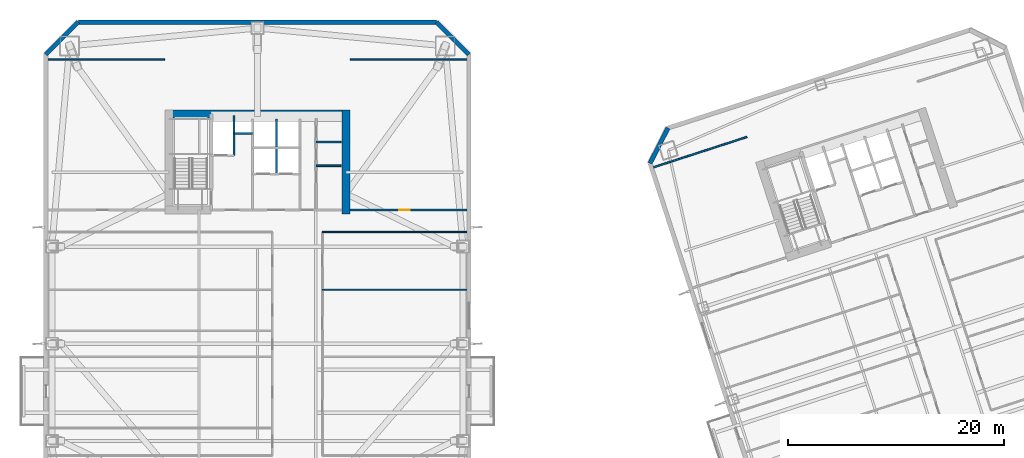
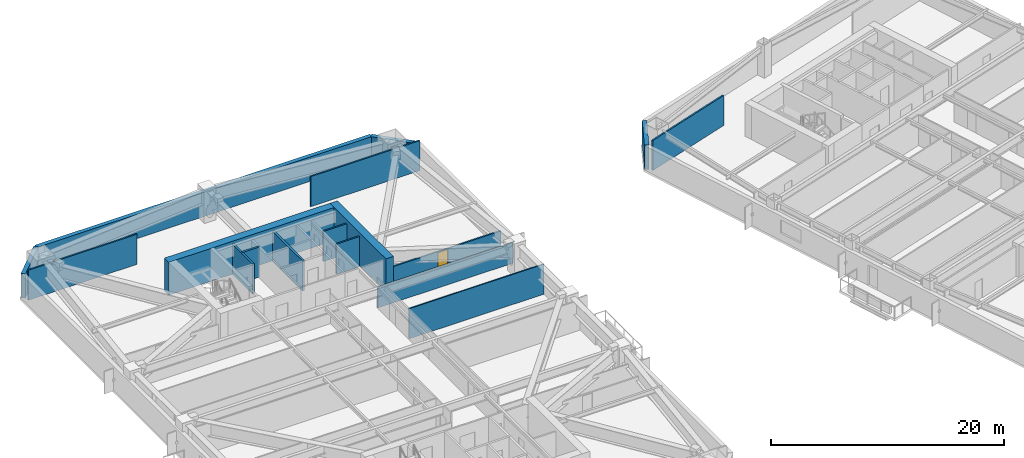
# One storey, part 8 of 19: 17 walls, 1 door, 1 opening.
"""IFC4 building model written with IfcOpenShell, lengths in metres."""

from ifc_helpers import new_model, si_unit, direction, frame, frame_2d, origin, place, context, subcontext, project, spatial, rectangle, extrude, material, layer, layer_set, type_object, element, fill, save


model = new_model("IFC4")

# Units and contexts
model_context = context("Model", 3, precision=1e-05, world=origin(), true_north=direction((0.0, 1.0)))
body_context = subcontext(model_context, "Body", "Model", "MODEL_VIEW")
ifc_project = project(units=[si_unit("LENGTHUNIT", "METRE"), si_unit("AREAUNIT", "SQUARE_METRE"), si_unit("VOLUMEUNIT", "CUBIC_METRE"), si_unit("PLANEANGLEUNIT", "RADIAN"), si_unit("MASSUNIT", "GRAM", prefix="KILO")], contexts=[model_context])

# Site, building, storey
site_placement = place(None, origin())
site = spatial("IfcSite", under=ifc_project, at=site_placement, CompositionType="ELEMENT")
building_placement = place(site_placement, origin())
building = spatial("IfcBuilding", under=site, at=building_placement, Name="Qiaolan Cultural Towers", CompositionType="ELEMENT")
storey_placement = place(building_placement, frame((0.0, 0.0, 88.550048828125)))
storey = spatial("IfcBuildingStorey", under=building, at=storey_placement, Name="L22", CompositionType="ELEMENT", Elevation=88.550048828125)

# Walls
ifc_material_1 = material(Name="Concrete C60", Category="concrete")
ifc_layer_1 = layer(ifc_material_1, 0.75)
ifc_layer_set_1 = layer_set([ifc_layer_1], Name="Concrete C60")
wall_type_1 = type_object("IfcWallType", Name="WL-CORE-750", PredefinedType="SHEAR", material=ifc_layer_set_1)
wall_1_placement = place(storey_placement, frame((21.425048828125, 55.280029296875, 0.0), z_axis=(0.0, 0.0, 1.0), x_axis=(1.0, 0.0, 0.0)))
element("IfcWall", 1, at=wall_1_placement, inside=storey, type_object=wall_type_1, Name="L22 T1-CN Outer Core Shear Wall", PredefinedType="SHEAR", context=body_context, shape_type="SweptSolid", body=[
    extrude(rectangle(XDim=17.14990234375, YDim=0.75, at=frame_2d((8.574951171875, 0.0))), origin(), (0.0, 0.0, 1.0), 3.449951171875),
])
wall_2_placement = place(storey_placement, frame((38.199951171875, 46.02490234375, 0.0), z_axis=(0.0, 0.0, 1.0), x_axis=(0.0, 1.0, 0.0)))
element("IfcWall", 2, at=wall_2_placement, inside=storey, type_object=wall_type_1, Name="L22 T1-CN East Core Shear Wall", PredefinedType="SHEAR", context=body_context, shape_type="SweptSolid", body=[
    extrude(rectangle(XDim=9.630126953125, YDim=0.75, at=frame_2d((4.81494140625, 0.0))), origin(), (0.0, 0.0, 1.0), 3.449951171875),
])
ifc_material_2 = material(Name="Precast Concrete C50 Honed Stone Pier", Category="masonry")
ifc_layer_2 = layer(ifc_material_2, 0.39990234375)
ifc_layer_set_2 = layer_set([ifc_layer_2], Name="Precast Concrete C50 Honed Stone Pier")
wall_type_2 = type_object("IfcWallType", Name="WL-EXT-PIER-400", PredefinedType="SOLIDWALL", material=ifc_layer_set_2)
wall_3_placement = place(storey_placement, frame((10.39990234375, 60.800048828125, 0.0), z_axis=(0.0, 0.0, 1.0), x_axis=(0.707106781187, 0.707106781187, 0.0)))
element("IfcWall", 3, at=wall_3_placement, inside=storey, type_object=wall_type_2, Name="L22 West Tower Precast Pier Facade Wall F2", PredefinedType="SOLIDWALL", context=body_context, shape_type="SweptSolid", body=[
    extrude(rectangle(XDim=4.24267578125, YDim=0.39990234375, at=frame_2d((2.121337890625, 0.0))), origin(), (0.0, 0.0, 1.0), 2.550048828125),
])
wall_4_placement = place(storey_placement, frame((13.39990234375, 63.800048828125, 0.0), z_axis=(0.0, 0.0, 1.0), x_axis=(1.0, 0.0, 0.0)))
element("IfcWall", 4, at=wall_4_placement, inside=storey, type_object=wall_type_2, Name="L22 West Tower Precast Pier Facade Wall F3", PredefinedType="SOLIDWALL", context=body_context, shape_type="SweptSolid", body=[
    extrude(rectangle(XDim=33.2001953125, YDim=0.39990234375, at=frame_2d((16.60009765625, 0.0))), origin(), (0.0, 0.0, 1.0), 2.550048828125),
])
wall_5_placement = place(storey_placement, frame((46.60009765625, 63.800048828125, 0.0), z_axis=(0.0, 0.0, 1.0), x_axis=(0.707106781187, -0.707106781187, 0.0)))
element("IfcWall", 5, at=wall_5_placement, inside=storey, type_object=wall_type_2, Name="L22 West Tower Precast Pier Facade Wall F4", PredefinedType="SOLIDWALL", context=body_context, shape_type="SweptSolid", body=[
    extrude(rectangle(XDim=4.24267578125, YDim=0.39990234375, at=frame_2d((2.121337890625, 0.0))), origin(), (0.0, 0.0, 1.0), 2.550048828125),
])
wall_6_placement = place(storey_placement, frame((66.37744140625, 50.718505859375, 0.0), z_axis=(0.0, 0.0, 1.0), x_axis=(0.454026238093, 0.890988313685, 0.0)))
element("IfcWall", 6, at=wall_6_placement, inside=storey, type_object=wall_type_2, Name="L22 East Tower Precast Pier Facade Wall F2", PredefinedType="SOLIDWALL", context=body_context, shape_type="SweptSolid", body=[
    extrude(rectangle(XDim=3.677001953125, YDim=0.39990234375, at=frame_2d((1.83837890625, 0.0))), origin(), (0.0, 0.0, 1.0), 2.550048828125),
])
ifc_material_3 = material(Name="Concrete C35 Fire Wall", Category="concrete")
ifc_layer_3 = layer(ifc_material_3, 0.199951171875)
ifc_layer_set_3 = layer_set([ifc_layer_3], Name="Concrete C35 Fire Wall")
wall_type_3 = type_object("IfcWallType", Name="WL-FIRE-200", PredefinedType="PARTITIONING", material=ifc_layer_set_3)
wall_7_placement = place(storey_placement, frame((27.820068359375, 51.449951171875, 0.0), z_axis=(0.0, 0.0, 1.0), x_axis=(0.0, 1.0, 0.0)))
element("IfcWall", 7, at=wall_7_placement, inside=storey, type_object=wall_type_3, Name="L22 T1-CN Firefighting Hoistway East Wall", PredefinedType="PARTITIONING", context=body_context, shape_type="SweptSolid", body=[
    extrude(rectangle(XDim=3.699951171875, YDim=0.199951171875, at=frame_2d((1.85009765625, 0.0))), origin(), (0.0, 0.0, 1.0), 3.155029296875),
])
wall_8_placement = place(storey_placement, frame((27.820068359375, 53.47998046875, 0.0), z_axis=(0.0, 0.0, 1.0), x_axis=(1.0, 0.0, 0.0)))
element("IfcWall", 8, at=wall_8_placement, inside=storey, type_object=wall_type_3, Name="L22 T1-CN Pressurization Shaft Front Wall", PredefinedType="PARTITIONING", context=body_context, shape_type="SweptSolid", body=[
    extrude(rectangle(XDim=1.72998046875, YDim=0.199951171875, at=frame_2d((0.864990234375, 0.0))), origin(), (0.0, 0.0, 1.0), 3.155029296875),
])
wall_9_placement = place(storey_placement, frame((31.780029296875, 49.719970703125, 0.0), z_axis=(0.0, 0.0, 1.0), x_axis=(0.0, 1.0, 0.0)))
element("IfcWall", 9, at=wall_9_placement, inside=storey, type_object=wall_type_3, Name="L22 T1-CN Lift Shaft Divider Wall", PredefinedType="PARTITIONING", context=body_context, shape_type="SweptSolid", body=[
    extrude(rectangle(XDim=5.110107421875, YDim=0.199951171875, at=frame_2d((2.55517578125, 0.0))), origin(), (0.0, 0.0, 1.0), 3.155029296875),
])
ifc_material_4 = material(Name="Gypsum Stud Acoustic Partition", Category="gypsum")
ifc_layer_4 = layer(ifc_material_4, 0.1201171875)
ifc_layer_set_4 = layer_set([ifc_layer_4], Name="Gypsum Stud Acoustic Partition")
wall_type_4 = type_object("IfcWallType", Name="WL-PART-120", PredefinedType="PARTITIONING", material=ifc_layer_set_4)
wall_10_placement = place(storey_placement, frame((36.02490234375, 44.35009765625, 0.0), z_axis=(0.0, 0.0, 1.0), x_axis=(1.0, 0.0, 0.0)))
element("IfcWall", 10, at=wall_10_placement, inside=storey, type_object=wall_type_4, Name="L22 T1 North Corridor Right Wall", PredefinedType="PARTITIONING", context=body_context, shape_type="SweptSolid", body=[
    extrude(rectangle(XDim=13.375, YDim=0.1201171875, at=frame_2d((6.6875, 0.0))), origin(), (0.0, 0.0, 1.0), 2.14990234375),
])
wall_11_placement = place(storey_placement, frame((36.02490234375, 39.0, 0.0), z_axis=(0.0, 0.0, 1.0), x_axis=(1.0, 0.0, 0.0)))
element("IfcWall", 11, at=wall_11_placement, inside=storey, type_object=wall_type_4, Name="L22 T1 East Partition 2", PredefinedType="PARTITIONING", context=body_context, shape_type="SweptSolid", body=[
    extrude(rectangle(XDim=13.375, YDim=0.1201171875, at=frame_2d((6.6875, 0.0))), origin(), (0.0, 0.0, 1.0), 3.155029296875),
])
ifc_material_5 = material(Name="Autoclaved Aerated Concrete Block B06", Category="concrete")
ifc_layer_5 = layer(ifc_material_5, 0.14990234375)
ifc_layer_set_5 = layer_set([ifc_layer_5], Name="Autoclaved Aerated Concrete Block B06")
wall_type_5 = type_object("IfcWallType", Name="WL-PART-150", PredefinedType="PARTITIONING", material=ifc_layer_set_5)
for number, where, z_axis, x_axis, name in (
    (12, (35.449951171875, 50.5, 0.0), (0.0, 0.0, 1.0), (1.0, 0.0, 0.0), "L22 T1-CN Restroom Split Wall 1"),
    (13, (35.449951171875, 52.699951171875, 0.0), (0.0, 0.0, 1.0), (1.0, 0.0, 0.0), "L22 T1-CN Restroom Split Wall 2"),
):
    element("IfcWall", number, at=place(storey_placement, frame(where, z_axis=z_axis, x_axis=x_axis)), inside=storey, type_object=wall_type_5, Name=name, PredefinedType="PARTITIONING", context=body_context, shape_type="SweptSolid", body=[
        extrude(rectangle(XDim=2.300048828125, YDim=0.14990234375, at=frame_2d((1.14990234375, 0.0))), origin(), (0.0, 0.0, 1.0), 3.155029296875),
    ])
for number, where, z_axis, x_axis, name in (
    (14, (10.60009765625, 60.35009765625, 0.0), (0.0, 0.0, 1.0), (1.0, 0.0, 0.0), "L22 T1 Flank Wall FLK-NW"),
    (15, (38.60009765625, 60.35009765625, 0.0), (0.0, 0.0, 1.0), (1.0, 0.0, 0.0), "L22 T1 Flank Wall FLK-NE"),
):
    element("IfcWall", number, at=place(storey_placement, frame(where, z_axis=z_axis, x_axis=x_axis)), inside=storey, type_object=wall_type_5, Name=name, PredefinedType="PARTITIONING", context=body_context, shape_type="SweptSolid", body=[
        extrude(rectangle(XDim=10.7998046875, YDim=0.14990234375, at=frame_2d((5.39990234375, 0.0))), origin(), (0.0, 0.0, 1.0), 3.155029296875),
    ])

# Wall, opening, door
wall_12_placement = place(storey_placement, frame((38.60009765625, 46.39990234375, 0.0), z_axis=(0.0, 0.0, 1.0), x_axis=(1.0, 0.0, 0.0)))
wall_12 = element("IfcWall", 16, at=wall_12_placement, inside=storey, type_object=wall_type_5, Name="L22 T1 Flank Front FLK-NE", PredefinedType="PARTITIONING", context=body_context, shape_type="SweptSolid", body=[
    extrude(rectangle(XDim=10.7998046875, YDim=0.14990234375, at=frame_2d((5.39990234375, 0.0))), origin(), (0.0, 0.0, 1.0), 2.14990234375),
])
opening_placement = place(wall_12_placement, frame((4.535888671875, 0.0, 0.0)))
opening = element("IfcOpeningElement", 17, at=opening_placement, cuts=wall_12, Name="Opening ID-04", PredefinedType="OPENING", context=body_context, shape_type="SweptSolid", body=[
    extrude(rectangle(XDim=1.0, YDim=2.050048828125, at=frame_2d((0.5, 1.02490234375))), frame((0.0, 0.0849609375, 0.0), z_axis=(0.0, -1.0, 0.0), x_axis=(1.0, 0.0, 0.0)), (0.0, 0.0, 1.0), 0.169921875),
])
ifc_material_6 = material(Name="Oak Veneer Acoustic Office Door", Category="timber")
door_type = type_object("IfcDoorType", Name="DR-INT-1000", OperationType="NOTDEFINED", PredefinedType="DOOR", material=ifc_material_6)
door_placement = place(opening_placement, origin())
door = element("IfcDoor", 18, at=door_placement, inside=storey, type_object=door_type, Name="L22 T1 Corner Studio Door", OperationType="SINGLE_SWING_LEFT", OverallHeight=2.050048828125, OverallWidth=1.0, PredefinedType="DOOR", context=body_context, shape_type="SweptSolid", body=[
    extrude(rectangle(XDim=1.0, YDim=2.050048828125, at=frame_2d((0.5, 1.02490234375))), frame((0.0, 0.02490234375, 0.0), z_axis=(0.0, -1.0, 0.0), x_axis=(1.0, 0.0, 0.0)), (0.0, 0.0, 1.0), 0.050048828125),
])
fill(opening, door)

# Wall
wall_13_placement = place(storey_placement, frame((66.706787109375, 50.352294921875, 0.0), z_axis=(0.0, 0.0, 1.0), x_axis=(0.951057133767, 0.309015093986, 0.0)))
element("IfcWall", 19, at=wall_13_placement, inside=storey, type_object=wall_type_5, Name="L22 T2 Flank Wall FLK-NW", PredefinedType="PARTITIONING", context=body_context, shape_type="SweptSolid", body=[
    extrude(rectangle(XDim=9.099853515625, YDim=0.14990234375, at=frame_2d((4.5498046875, 0.0))), origin(), (0.0, 0.0, 1.0), 3.155029296875),
])

save(model, "model.ifc")
